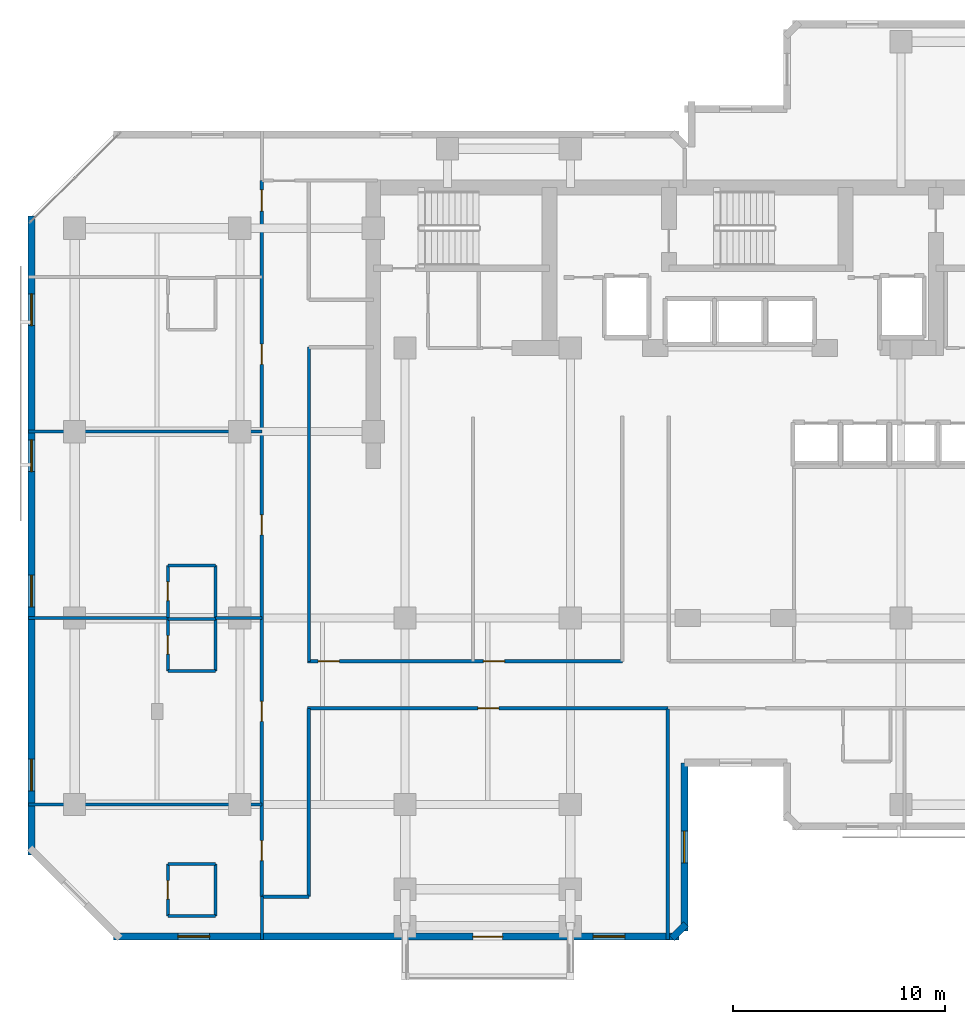
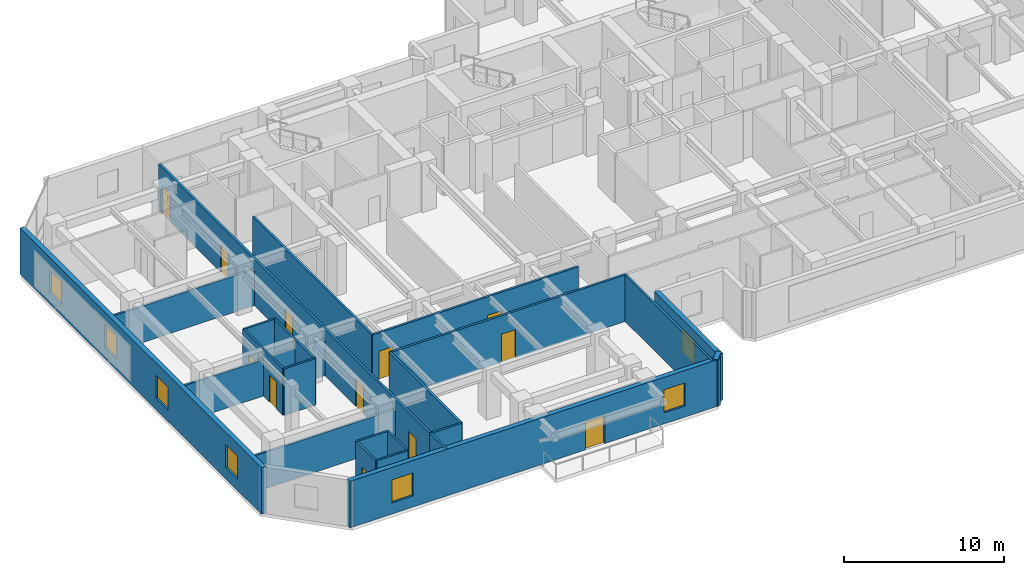
# One storey, part 5 of 11: 27 walls, 12 doors, 7 windows, 19 openings.
"""IFC4 building model written with IfcOpenShell, lengths in metres."""

from ifc_helpers import new_model, si_unit, direction, frame, frame_2d, origin, place, context, subcontext, project, spatial, rectangle, extrude, material, layer, layer_set, type_object, element, fill, save


model = new_model("IFC4")

# Units and contexts
model_context = context("Model", 3, precision=1e-05, world=origin(), true_north=direction((0.0, 1.0)))
body_context = subcontext(model_context, "Body", "Model", "MODEL_VIEW")
ifc_project = project(units=[si_unit("LENGTHUNIT", "METRE"), si_unit("AREAUNIT", "SQUARE_METRE"), si_unit("VOLUMEUNIT", "CUBIC_METRE"), si_unit("PLANEANGLEUNIT", "RADIAN"), si_unit("MASSUNIT", "GRAM", prefix="KILO")], contexts=[model_context])

# Site, building, storey
site_placement = place(None, origin())
site = spatial("IfcSite", under=ifc_project, at=site_placement, CompositionType="ELEMENT")
building_placement = place(site_placement, origin())
building = spatial("IfcBuilding", under=site, at=building_placement, Name="Kestravale Grand Hotel", CompositionType="ELEMENT")
storey_placement = place(building_placement, frame((0.0, 0.0, 165.0)))
storey = spatial("IfcBuildingStorey", under=building, at=storey_placement, Name="L41", CompositionType="ELEMENT", Elevation=165.0)

# Wall, openings, door, windows
ifc_material_1 = material(Name="Precast concrete f'c 45 MPa", Category="concrete")
ifc_layer_1 = layer(ifc_material_1, 0.340087890625)
ifc_layer_set_1 = layer_set([ifc_layer_1], Name="EW-PREC-340")
wall_type_1 = type_object("IfcWallType", Name="EW-PREC-340", PredefinedType="SOLIDWALL", material=ifc_layer_set_1)
wall_1_placement = place(storey_placement, frame((9.6298828125, 4.969970703125, 0.0), z_axis=(0.0, 0.0, 1.0), x_axis=(1.0, 0.0, 0.0)))
wall_1 = element("IfcWall", 1, at=wall_1_placement, inside=storey, type_object=wall_type_1, Name="L41 fluted precast facade wall 1", PredefinedType="SOLIDWALL", context=body_context, shape_type="SweptSolid", body=[
    extrude(rectangle(XDim=26.690185546875, YDim=0.340087890625, at=frame_2d((13.34521484375, 0.0))), origin(), (0.0, 0.0, 1.0), 3.550048828125),
])
opening_1_placement = place(wall_1_placement, frame((16.969970703125, 0.0, 0.0)))
opening_1 = element("IfcOpeningElement", 2, at=opening_1_placement, cuts=wall_1, Name="Opening D-TERR-1400", PredefinedType="OPENING", context=body_context, shape_type="SweptSolid", body=[
    extrude(rectangle(XDim=1.39990234375, YDim=2.14990234375, at=frame_2d((0.699951171875, 1.074951171875))), frame((0.0, 0.179931640625, 0.0), z_axis=(0.0, -1.0, 0.0), x_axis=(1.0, 0.0, 0.0)), (0.0, 0.0, 1.0), 0.360107421875),
])
opening_2_placement = place(wall_1_placement, frame((3.04833984375, 0.0, 0.85009765625)))
opening_2 = element("IfcOpeningElement", 3, at=opening_2_placement, cuts=wall_1, Name="Opening W-GUEST-1500", PredefinedType="OPENING", context=body_context, shape_type="SweptSolid", body=[
    extrude(rectangle(XDim=1.5, YDim=1.75, at=frame_2d((0.75, 0.875))), frame((0.0, 0.179931640625, 0.0), z_axis=(0.0, -1.0, 0.0), x_axis=(1.0, 0.0, 0.0)), (0.0, 0.0, 1.0), 0.360107421875),
])
opening_3_placement = place(wall_1_placement, frame((22.6416015625, 0.0, 0.85009765625)))
opening_3 = element("IfcOpeningElement", 4, at=opening_3_placement, cuts=wall_1, Name="Opening W-GUEST-1500", PredefinedType="OPENING", context=body_context, shape_type="SweptSolid", body=[
    extrude(rectangle(XDim=1.5, YDim=1.75, at=frame_2d((0.75, 0.875))), frame((0.0, 0.179931640625, 0.0), z_axis=(0.0, -1.0, 0.0), x_axis=(1.0, 0.0, 0.0)), (0.0, 0.0, 1.0), 0.360107421875),
])
ifc_material_2 = material(Name="Insulated glazed champagne-bronze aluminium door", Category="aluminium")
door_type_1 = type_object("IfcDoorType", Name="D-TERR-1400", OperationType="NOTDEFINED", PredefinedType="DOOR", material=ifc_material_2)
door_1_placement = place(opening_1_placement, origin())
door_1 = element("IfcDoor", 5, at=door_1_placement, inside=storey, type_object=door_type_1, Name="L41 outdoor garden terrace door", OperationType="DOUBLE_DOOR_SINGLE_SWING", OverallHeight=2.14990234375, OverallWidth=1.39990234375, PredefinedType="DOOR", context=body_context, shape_type="SweptSolid", body=[
    extrude(rectangle(XDim=1.39990234375, YDim=2.14990234375, at=frame_2d((0.699951171875, 1.074951171875))), frame((0.0, 0.02490234375, 0.0), z_axis=(0.0, -1.0, 0.0), x_axis=(1.0, 0.0, 0.0)), (0.0, 0.0, 1.0), 0.050048828125),
])
fill(opening_1, door_1)
ifc_material_3 = material(Name="Insulated low-E double glazing in aluminium frame", Category="aluminium")
window_type = type_object("IfcWindowType", Name="W-GUEST-1500", PartitioningType="SINGLE_PANEL", PredefinedType="WINDOW", material=ifc_material_3)
window_1_placement = place(opening_2_placement, origin())
window_1 = element("IfcWindow", 6, at=window_1_placement, inside=storey, type_object=window_type, Name="L41 exterior window 1.1", OverallHeight=1.75, OverallWidth=1.5, PartitioningType="SINGLE_PANEL", PredefinedType="WINDOW", context=body_context, shape_type="SweptSolid", body=[
    extrude(rectangle(XDim=1.5, YDim=1.75, at=frame_2d((0.75, 0.875))), frame((0.0, 0.030029296875, 0.0), z_axis=(0.0, -1.0, 0.0), x_axis=(1.0, 0.0, 0.0)), (0.0, 0.0, 1.0), 0.06005859375),
])
fill(opening_2, window_1)
window_2_placement = place(opening_3_placement, origin())
window_2 = element("IfcWindow", 7, at=window_2_placement, inside=storey, type_object=window_type, Name="L41 exterior window 1.2", OverallHeight=1.75, OverallWidth=1.5, PartitioningType="SINGLE_PANEL", PredefinedType="WINDOW", context=body_context, shape_type="SweptSolid", body=[
    extrude(rectangle(XDim=1.5, YDim=1.75, at=frame_2d((0.75, 0.875))), frame((0.0, 0.030029296875, 0.0), z_axis=(0.0, -1.0, 0.0), x_axis=(1.0, 0.0, 0.0)), (0.0, 0.0, 1.0), 0.06005859375),
])
fill(opening_3, window_2)

# Wall
wall_2_placement = place(storey_placement, frame((36.00146484375, 4.891845703125, 0.0), z_axis=(0.0, 0.0, 1.0), x_axis=(0.707106781187, 0.707106781187, 0.0)))
element("IfcWall", 8, at=wall_2_placement, inside=storey, type_object=wall_type_1, Name="L41 fluted precast facade wall 2", PredefinedType="SOLIDWALL", context=body_context, shape_type="SweptSolid", body=[
    extrude(rectangle(XDim=0.9287109375, YDim=0.340087890625, at=frame_2d((0.46435546875, 0.0))), origin(), (0.0, 0.0, 1.0), 3.550048828125),
])

# Wall, opening, window
wall_3_placement = place(storey_placement, frame((36.580078125, 5.22998046875, 0.0), z_axis=(0.0, 0.0, 1.0), x_axis=(0.0, 1.0, 0.0)))
wall_3 = element("IfcWall", 9, at=wall_3_placement, inside=storey, type_object=wall_type_1, Name="L41 fluted precast facade wall 3", PredefinedType="SOLIDWALL", context=body_context, shape_type="SweptSolid", body=[
    extrude(rectangle(XDim=7.93994140625, YDim=0.340087890625, at=frame_2d((3.969970703125, 0.0))), origin(), (0.0, 0.0, 1.0), 3.550048828125),
])
opening_4_placement = place(wall_3_placement, frame((3.219970703125, 0.0, 0.85009765625)))
opening_4 = element("IfcOpeningElement", 10, at=opening_4_placement, cuts=wall_3, Name="Opening W-GUEST-1500", PredefinedType="OPENING", context=body_context, shape_type="SweptSolid", body=[
    extrude(rectangle(XDim=1.5, YDim=1.75, at=frame_2d((0.75, 0.875))), frame((0.0, 0.179931640625, 0.0), z_axis=(0.0, -1.0, 0.0), x_axis=(1.0, 0.0, 0.0)), (0.0, 0.0, 1.0), 0.360107421875),
])
window_3_placement = place(opening_4_placement, origin())
window_3 = element("IfcWindow", 11, at=window_3_placement, inside=storey, type_object=window_type, Name="L41 exterior window 3.1", OverallHeight=1.75, OverallWidth=1.5, PartitioningType="SINGLE_PANEL", PredefinedType="WINDOW", context=body_context, shape_type="SweptSolid", body=[
    extrude(rectangle(XDim=1.5, YDim=1.75, at=frame_2d((0.75, 0.875))), frame((0.0, 0.030029296875, 0.0), z_axis=(0.0, -1.0, 0.0), x_axis=(1.0, 0.0, 0.0)), (0.0, 0.0, 1.0), 0.06005859375),
])
fill(opening_4, window_3)

# Wall, openings, windows
wall_4_placement = place(storey_placement, frame((5.77001953125, 38.969970703125, 0.0), z_axis=(0.0, 0.0, 1.0), x_axis=(0.0, -1.0, 0.0)))
wall_4 = element("IfcWall", 12, at=wall_4_placement, inside=storey, type_object=wall_type_1, Name="L41 fluted precast facade wall 19", PredefinedType="SOLIDWALL", context=body_context, shape_type="SweptSolid", body=[
    extrude(rectangle(XDim=30.139892578125, YDim=0.340087890625, at=frame_2d((15.06982421875, 0.0))), origin(), (0.0, 0.0, 1.0), 3.550048828125),
])
opening_5_placement = place(wall_4_placement, frame((3.66748046875, 0.0, 0.85009765625)))
opening_5 = element("IfcOpeningElement", 13, at=opening_5_placement, cuts=wall_4, Name="Opening W-GUEST-1500", PredefinedType="OPENING", context=body_context, shape_type="SweptSolid", body=[
    extrude(rectangle(XDim=1.5, YDim=1.75, at=frame_2d((0.75, 0.875))), frame((0.0, 0.179931640625, 0.0), z_axis=(0.0, -1.0, 0.0), x_axis=(1.0, 0.0, 0.0)), (0.0, 0.0, 1.0), 0.360107421875),
])
opening_6_placement = place(wall_4_placement, frame((10.552490234375, 0.0, 0.85009765625)))
opening_6 = element("IfcOpeningElement", 14, at=opening_6_placement, cuts=wall_4, Name="Opening W-GUEST-1500", PredefinedType="OPENING", context=body_context, shape_type="SweptSolid", body=[
    extrude(rectangle(XDim=1.5, YDim=1.75, at=frame_2d((0.75, 0.875))), frame((0.0, 0.179931640625, 0.0), z_axis=(0.0, -1.0, 0.0), x_axis=(1.0, 0.0, 0.0)), (0.0, 0.0, 1.0), 0.360107421875),
])
opening_7_placement = place(wall_4_placement, frame((16.9375, 0.0, 0.85009765625)))
opening_7 = element("IfcOpeningElement", 15, at=opening_7_placement, cuts=wall_4, Name="Opening W-GUEST-1500", PredefinedType="OPENING", context=body_context, shape_type="SweptSolid", body=[
    extrude(rectangle(XDim=1.5, YDim=1.75, at=frame_2d((0.75, 0.875))), frame((0.0, 0.179931640625, 0.0), z_axis=(0.0, -1.0, 0.0), x_axis=(1.0, 0.0, 0.0)), (0.0, 0.0, 1.0), 0.360107421875),
])
opening_8_placement = place(wall_4_placement, frame((25.62255859375, 0.0, 0.85009765625)))
opening_8 = element("IfcOpeningElement", 16, at=opening_8_placement, cuts=wall_4, Name="Opening W-GUEST-1500", PredefinedType="OPENING", context=body_context, shape_type="SweptSolid", body=[
    extrude(rectangle(XDim=1.5, YDim=1.75, at=frame_2d((0.75, 0.875))), frame((0.0, 0.179931640625, 0.0), z_axis=(0.0, -1.0, 0.0), x_axis=(1.0, 0.0, 0.0)), (0.0, 0.0, 1.0), 0.360107421875),
])
window_4_placement = place(opening_5_placement, origin())
window_4 = element("IfcWindow", 17, at=window_4_placement, inside=storey, type_object=window_type, Name="L41 exterior window 19.1", OverallHeight=1.75, OverallWidth=1.5, PartitioningType="SINGLE_PANEL", PredefinedType="WINDOW", context=body_context, shape_type="SweptSolid", body=[
    extrude(rectangle(XDim=1.5, YDim=1.75, at=frame_2d((0.75, 0.875))), frame((0.0, 0.030029296875, 0.0), z_axis=(0.0, -1.0, 0.0), x_axis=(1.0, 0.0, 0.0)), (0.0, 0.0, 1.0), 0.06005859375),
])
fill(opening_5, window_4)
window_5_placement = place(opening_6_placement, origin())
window_5 = element("IfcWindow", 18, at=window_5_placement, inside=storey, type_object=window_type, Name="L41 exterior window 19.2", OverallHeight=1.75, OverallWidth=1.5, PartitioningType="SINGLE_PANEL", PredefinedType="WINDOW", context=body_context, shape_type="SweptSolid", body=[
    extrude(rectangle(XDim=1.5, YDim=1.75, at=frame_2d((0.75, 0.875))), frame((0.0, 0.030029296875, 0.0), z_axis=(0.0, -1.0, 0.0), x_axis=(1.0, 0.0, 0.0)), (0.0, 0.0, 1.0), 0.06005859375),
])
fill(opening_6, window_5)
window_6_placement = place(opening_7_placement, origin())
window_6 = element("IfcWindow", 19, at=window_6_placement, inside=storey, type_object=window_type, Name="L41 exterior window 19.3", OverallHeight=1.75, OverallWidth=1.5, PartitioningType="SINGLE_PANEL", PredefinedType="WINDOW", context=body_context, shape_type="SweptSolid", body=[
    extrude(rectangle(XDim=1.5, YDim=1.75, at=frame_2d((0.75, 0.875))), frame((0.0, 0.030029296875, 0.0), z_axis=(0.0, -1.0, 0.0), x_axis=(1.0, 0.0, 0.0)), (0.0, 0.0, 1.0), 0.06005859375),
])
fill(opening_7, window_6)
window_7_placement = place(opening_8_placement, origin())
window_7 = element("IfcWindow", 20, at=window_7_placement, inside=storey, type_object=window_type, Name="L41 exterior window 19.4", OverallHeight=1.75, OverallWidth=1.5, PartitioningType="SINGLE_PANEL", PredefinedType="WINDOW", context=body_context, shape_type="SweptSolid", body=[
    extrude(rectangle(XDim=1.5, YDim=1.75, at=frame_2d((0.75, 0.875))), frame((0.0, 0.030029296875, 0.0), z_axis=(0.0, -1.0, 0.0), x_axis=(1.0, 0.0, 0.0)), (0.0, 0.0, 1.0), 0.06005859375),
])
fill(opening_8, window_7)

# Wall, openings, doors
ifc_material_4 = material(Name="Acoustic fire-rated gypsum board partition", Category="other")
ifc_layer_2 = layer(ifc_material_4, 0.159912109375)
ifc_layer_set_2 = layer_set([ifc_layer_2], Name="IW-CORR-160")
wall_type_2 = type_object("IfcWallType", Name="IW-CORR-160", PredefinedType="PARTITIONING", material=ifc_layer_set_2)
wall_5_placement = place(storey_placement, frame((18.800048828125, 17.9599609375, 0.0), z_axis=(0.0, 0.0, 1.0), x_axis=(1.0, 0.0, 0.0)))
wall_5 = element("IfcWall", 21, at=wall_5_placement, inside=storey, type_object=wall_type_2, Name="W-L41-CW-N", PredefinedType="PARTITIONING", context=body_context, shape_type="SweptSolid", body=[
    extrude(rectangle(XDim=14.849853515625, YDim=0.159912109375, at=frame_2d((7.4248046875, 0.0))), origin(), (0.0, 0.0, 1.0), 3.550048828125),
])
opening_9_placement = place(wall_5_placement, frame((0.5, 0.0, 0.0)))
opening_9 = element("IfcOpeningElement", 22, at=opening_9_placement, cuts=wall_5, Name="Opening D-GUEST-1000", PredefinedType="OPENING", context=body_context, shape_type="SweptSolid", body=[
    extrude(rectangle(XDim=1.0, YDim=2.14990234375, at=frame_2d((0.5, 1.074951171875))), frame((0.0, 0.08984375, 0.0), z_axis=(0.0, -1.0, 0.0), x_axis=(1.0, 0.0, 0.0)), (0.0, 0.0, 1.0), 0.179931640625),
])
opening_10_placement = place(wall_5_placement, frame((8.300048828125, 0.0, 0.0)))
opening_10 = element("IfcOpeningElement", 23, at=opening_10_placement, cuts=wall_5, Name="Opening D-GUEST-1000", PredefinedType="OPENING", context=body_context, shape_type="SweptSolid", body=[
    extrude(rectangle(XDim=1.0, YDim=2.14990234375, at=frame_2d((0.5, 1.074951171875))), frame((0.0, 0.08984375, 0.0), z_axis=(0.0, -1.0, 0.0), x_axis=(1.0, 0.0, 0.0)), (0.0, 0.0, 1.0), 0.179931640625),
])
ifc_material_5 = material(Name="Accessible walnut veneer hotel entrance fire door", Category="wood")
door_type_2 = type_object("IfcDoorType", Name="D-GUEST-1000", OperationType="NOTDEFINED", PredefinedType="DOOR", material=ifc_material_5)
door_2_placement = place(opening_9_placement, origin())
door_2 = element("IfcDoor", 24, at=door_2_placement, inside=storey, type_object=door_type_2, Name="D-L41-RECL-W1", OperationType="SINGLE_SWING_LEFT", OverallHeight=2.14990234375, OverallWidth=1.0, PredefinedType="DOOR", context=body_context, shape_type="SweptSolid", body=[
    extrude(rectangle(XDim=1.0, YDim=2.14990234375, at=frame_2d((0.5, 1.074951171875))), frame((0.0, 0.02490234375, 0.0), z_axis=(0.0, -1.0, 0.0), x_axis=(1.0, 0.0, 0.0)), (0.0, 0.0, 1.0), 0.050048828125),
])
fill(opening_9, door_2)
door_3_placement = place(opening_10_placement, origin())
door_3 = element("IfcDoor", 25, at=door_3_placement, inside=storey, type_object=door_type_2, Name="D-L41-RECL-W2", OperationType="SINGLE_SWING_RIGHT", OverallHeight=2.14990234375, OverallWidth=1.0, PredefinedType="DOOR", context=body_context, shape_type="SweptSolid", body=[
    extrude(rectangle(XDim=1.0, YDim=2.14990234375, at=frame_2d((0.5, 1.074951171875))), frame((0.0, 0.02490234375, 0.0), z_axis=(0.0, -1.0, 0.0), x_axis=(1.0, 0.0, 0.0)), (0.0, 0.0, 1.0), 0.050048828125),
])
fill(opening_10, door_3)

# Wall, opening, door
wall_6_placement = place(storey_placement, frame((18.800048828125, 15.739990234375, 0.0), z_axis=(0.0, 0.0, 1.0), x_axis=(1.0, 0.0, 0.0)))
wall_6 = element("IfcWall", 26, at=wall_6_placement, inside=storey, type_object=wall_type_2, Name="W-L41-CW-S", PredefinedType="PARTITIONING", context=body_context, shape_type="SweptSolid", body=[
    extrude(rectangle(XDim=17.0, YDim=0.159912109375, at=frame_2d((8.5, 0.0))), origin(), (0.0, 0.0, 1.0), 3.550048828125),
])
opening_11_placement = place(wall_6_placement, frame((8.030029296875, 0.0, 0.0)))
opening_11 = element("IfcOpeningElement", 27, at=opening_11_placement, cuts=wall_6, Name="Opening D-GUEST-1000", PredefinedType="OPENING", context=body_context, shape_type="SweptSolid", body=[
    extrude(rectangle(XDim=1.0, YDim=2.14990234375, at=frame_2d((0.5, 1.074951171875))), frame((0.0, 0.08984375, 0.0), z_axis=(0.0, -1.0, 0.0), x_axis=(1.0, 0.0, 0.0)), (0.0, 0.0, 1.0), 0.179931640625),
])
door_4_placement = place(opening_11_placement, origin())
door_4 = element("IfcDoor", 28, at=door_4_placement, inside=storey, type_object=door_type_2, Name="D-L41-AMW", OperationType="SINGLE_SWING_LEFT", OverallHeight=2.14990234375, OverallWidth=1.0, PredefinedType="DOOR", context=body_context, shape_type="SweptSolid", body=[
    extrude(rectangle(XDim=1.0, YDim=2.14990234375, at=frame_2d((0.5, 1.074951171875))), frame((0.0, 0.02490234375, 0.0), z_axis=(0.0, -1.0, 0.0), x_axis=(1.0, 0.0, 0.0)), (0.0, 0.0, 1.0), 0.050048828125),
])
fill(opening_11, door_4)

# Wall, openings, doors
wall_7_placement = place(storey_placement, frame((16.639892578125, 6.85009765625, 0.0), z_axis=(0.0, 0.0, 1.0), x_axis=(0.0, 1.0, 0.0)))
wall_7 = element("IfcWall", 29, at=wall_7_placement, inside=storey, type_object=wall_type_2, Name="W-L41-SW-W", PredefinedType="PARTITIONING", context=body_context, shape_type="SweptSolid", body=[
    extrude(rectangle(XDim=33.7998046875, YDim=0.159912109375, at=frame_2d((16.89990234375, 0.0))), origin(), (0.0, 0.0, 1.0), 3.550048828125),
])
opening_12_placement = place(wall_7_placement, frame((1.699951171875, 0.0, 0.0)))
opening_12 = element("IfcOpeningElement", 30, at=opening_12_placement, cuts=wall_7, Name="Opening D-GUEST-950", PredefinedType="OPENING", context=body_context, shape_type="SweptSolid", body=[
    extrude(rectangle(XDim=0.949951171875, YDim=2.10009765625, at=frame_2d((0.47509765625, 1.050048828125))), frame((0.0, 0.08984375, 0.0), z_axis=(0.0, -1.0, 0.0), x_axis=(1.0, 0.0, 0.0)), (0.0, 0.0, 1.0), 0.179931640625),
])
opening_13_placement = place(wall_7_placement, frame((8.27490234375, 0.0, 0.0)))
opening_13 = element("IfcOpeningElement", 31, at=opening_13_placement, cuts=wall_7, Name="Opening D-GUEST-950", PredefinedType="OPENING", context=body_context, shape_type="SweptSolid", body=[
    extrude(rectangle(XDim=0.949951171875, YDim=2.10009765625, at=frame_2d((0.47509765625, 1.050048828125))), frame((0.0, 0.08984375, 0.0), z_axis=(0.0, -1.0, 0.0), x_axis=(1.0, 0.0, 0.0)), (0.0, 0.0, 1.0), 0.179931640625),
])
opening_14_placement = place(wall_7_placement, frame((17.074951171875, 0.0, 0.0)))
opening_14 = element("IfcOpeningElement", 32, at=opening_14_placement, cuts=wall_7, Name="Opening D-GUEST-950", PredefinedType="OPENING", context=body_context, shape_type="SweptSolid", body=[
    extrude(rectangle(XDim=0.949951171875, YDim=2.10009765625, at=frame_2d((0.47509765625, 1.050048828125))), frame((0.0, 0.08984375, 0.0), z_axis=(0.0, -1.0, 0.0), x_axis=(1.0, 0.0, 0.0)), (0.0, 0.0, 1.0), 0.179931640625),
])
opening_15_placement = place(wall_7_placement, frame((25.125, 0.0, 0.0)))
opening_15 = element("IfcOpeningElement", 33, at=opening_15_placement, cuts=wall_7, Name="Opening D-GUEST-950", PredefinedType="OPENING", context=body_context, shape_type="SweptSolid", body=[
    extrude(rectangle(XDim=0.949951171875, YDim=2.10009765625, at=frame_2d((0.47509765625, 1.050048828125))), frame((0.0, 0.08984375, 0.0), z_axis=(0.0, -1.0, 0.0), x_axis=(1.0, 0.0, 0.0)), (0.0, 0.0, 1.0), 0.179931640625),
])
opening_16_placement = place(wall_7_placement, frame((32.360107421875, 0.0, 0.0)))
opening_16 = element("IfcOpeningElement", 34, at=opening_16_placement, cuts=wall_7, Name="Opening D-GUEST-1000", PredefinedType="OPENING", context=body_context, shape_type="SweptSolid", body=[
    extrude(rectangle(XDim=1.0, YDim=2.14990234375, at=frame_2d((0.5, 1.074951171875))), frame((0.0, 0.08984375, 0.0), z_axis=(0.0, -1.0, 0.0), x_axis=(1.0, 0.0, 0.0)), (0.0, 0.0, 1.0), 0.179931640625),
])
door_5_placement = place(opening_16_placement, origin())
door_5 = element("IfcDoor", 35, at=door_5_placement, inside=storey, type_object=door_type_2, Name="D-L41-AMWW", OperationType="SINGLE_SWING_LEFT", OverallHeight=2.14990234375, OverallWidth=1.0, PredefinedType="DOOR", context=body_context, shape_type="SweptSolid", body=[
    extrude(rectangle(XDim=1.0, YDim=2.14990234375, at=frame_2d((0.5, 1.074951171875))), frame((0.0, 0.02490234375, 0.0), z_axis=(0.0, -1.0, 0.0), x_axis=(1.0, 0.0, 0.0)), (0.0, 0.0, 1.0), 0.050048828125),
])
fill(opening_16, door_5)
ifc_material_6 = material(Name="Walnut veneer hotel guestroom entrance fire door", Category="wood")
door_type_3 = type_object("IfcDoorType", Name="D-GUEST-950", OperationType="NOTDEFINED", PredefinedType="DOOR", material=ifc_material_6)
door_6_placement = place(opening_12_placement, origin())
door_6 = element("IfcDoor", 36, at=door_6_placement, inside=storey, type_object=door_type_3, Name="D-L41-U02-ENT", OperationType="SINGLE_SWING_RIGHT", OverallHeight=2.10009765625, OverallWidth=0.949951171875, PredefinedType="DOOR", context=body_context, shape_type="SweptSolid", body=[
    extrude(rectangle(XDim=0.949951171875, YDim=2.10009765625, at=frame_2d((0.47509765625, 1.050048828125))), frame((0.0, 0.02490234375, 0.0), z_axis=(0.0, -1.0, 0.0), x_axis=(1.0, 0.0, 0.0)), (0.0, 0.0, 1.0), 0.050048828125),
])
fill(opening_12, door_6)
door_7_placement = place(opening_13_placement, origin())
door_7 = element("IfcDoor", 37, at=door_7_placement, inside=storey, type_object=door_type_3, Name="D-L41-U03-ENT", OperationType="SINGLE_SWING_RIGHT", OverallHeight=2.10009765625, OverallWidth=0.949951171875, PredefinedType="DOOR", context=body_context, shape_type="SweptSolid", body=[
    extrude(rectangle(XDim=0.949951171875, YDim=2.10009765625, at=frame_2d((0.47509765625, 1.050048828125))), frame((0.0, 0.02490234375, 0.0), z_axis=(0.0, -1.0, 0.0), x_axis=(1.0, 0.0, 0.0)), (0.0, 0.0, 1.0), 0.050048828125),
])
fill(opening_13, door_7)
door_8_placement = place(opening_14_placement, origin())
door_8 = element("IfcDoor", 38, at=door_8_placement, inside=storey, type_object=door_type_3, Name="D-L41-U04-ENT", OperationType="SINGLE_SWING_RIGHT", OverallHeight=2.10009765625, OverallWidth=0.949951171875, PredefinedType="DOOR", context=body_context, shape_type="SweptSolid", body=[
    extrude(rectangle(XDim=0.949951171875, YDim=2.10009765625, at=frame_2d((0.47509765625, 1.050048828125))), frame((0.0, 0.02490234375, 0.0), z_axis=(0.0, -1.0, 0.0), x_axis=(1.0, 0.0, 0.0)), (0.0, 0.0, 1.0), 0.050048828125),
])
fill(opening_14, door_8)
door_9_placement = place(opening_15_placement, origin())
door_9 = element("IfcDoor", 39, at=door_9_placement, inside=storey, type_object=door_type_3, Name="D-L41-U05-ENT", OperationType="SINGLE_SWING_RIGHT", OverallHeight=2.10009765625, OverallWidth=0.949951171875, PredefinedType="DOOR", context=body_context, shape_type="SweptSolid", body=[
    extrude(rectangle(XDim=0.949951171875, YDim=2.10009765625, at=frame_2d((0.47509765625, 1.050048828125))), frame((0.0, 0.02490234375, 0.0), z_axis=(0.0, -1.0, 0.0), x_axis=(1.0, 0.0, 0.0)), (0.0, 0.0, 1.0), 0.050048828125),
])
fill(opening_15, door_9)

# Wall
wall_8_placement = place(storey_placement, frame((18.860107421875, 6.85009765625, 0.0), z_axis=(0.0, 0.0, 1.0), x_axis=(0.0, 1.0, 0.0)))
element("IfcWall", 40, at=wall_8_placement, inside=storey, type_object=wall_type_2, Name="W-L41-SW-E", PredefinedType="PARTITIONING", context=body_context, shape_type="SweptSolid", body=[
    extrude(rectangle(XDim=8.889892578125, YDim=0.159912109375, at=frame_2d((4.44482421875, 0.0))), origin(), (0.0, 0.0, 1.0), 3.550048828125),
])

# Wall, opening, door
ifc_material_7 = material(Name="Moisture-resistant tile-backer plumbing chase wall", Category="other")
ifc_layer_3 = layer(ifc_material_7, 0.139892578125)
ifc_layer_set_3 = layer_set([ifc_layer_3], Name="IW-PLB-140")
wall_type_3 = type_object("IfcWallType", Name="IW-PLB-140", PredefinedType="PLUMBINGWALL", material=ifc_layer_set_3)
wall_9_placement = place(storey_placement, frame((12.199951171875, 5.949951171875, 0.0), z_axis=(0.0, 0.0, 1.0), x_axis=(0.0, 1.0, 0.0)))
wall_9 = element("IfcWall", 41, at=wall_9_placement, inside=storey, type_object=wall_type_3, Name="W-L41-U02-BW", PredefinedType="PLUMBINGWALL", context=body_context, shape_type="SweptSolid", body=[
    extrude(rectangle(XDim=2.449951171875, YDim=0.139892578125, at=frame_2d((1.22509765625, 0.0))), origin(), (0.0, 0.0, 1.0), 3.550048828125),
])
opening_17_placement = place(wall_9_placement, frame((0.784912109375, 0.0, 0.0)))
opening_17 = element("IfcOpeningElement", 42, at=opening_17_placement, cuts=wall_9, Name="Opening D-BATH-880", PredefinedType="OPENING", context=body_context, shape_type="SweptSolid", body=[
    extrude(rectangle(XDim=0.8798828125, YDim=2.050048828125, at=frame_2d((0.43994140625, 1.02490234375))), frame((0.0, 0.079833984375, 0.0), z_axis=(0.0, -1.0, 0.0), x_axis=(1.0, 0.0, 0.0)), (0.0, 0.0, 1.0), 0.159912109375),
])
ifc_material_8 = material(Name="Moisture-sealed walnut en-suite bathroom door", Category="wood")
door_type_4 = type_object("IfcDoorType", Name="D-BATH-880", OperationType="NOTDEFINED", PredefinedType="DOOR", material=ifc_material_8)
door_10_placement = place(opening_17_placement, origin())
door_10 = element("IfcDoor", 43, at=door_10_placement, inside=storey, type_object=door_type_4, Name="D-L41-U02-BATH", OperationType="SINGLE_SWING_LEFT", OverallHeight=2.050048828125, OverallWidth=0.8798828125, PredefinedType="DOOR", context=body_context, shape_type="SweptSolid", body=[
    extrude(rectangle(XDim=0.8798828125, YDim=2.050048828125, at=frame_2d((0.43994140625, 1.02490234375))), frame((0.0, 0.02490234375, 0.0), z_axis=(0.0, -1.0, 0.0), x_axis=(1.0, 0.0, 0.0)), (0.0, 0.0, 1.0), 0.050048828125),
])
fill(opening_17, door_10)

# Walls
wall_10_placement = place(storey_placement, frame((14.449951171875, 5.949951171875, 0.0), z_axis=(0.0, 0.0, 1.0), x_axis=(0.0, 1.0, 0.0)))
element("IfcWall", 44, at=wall_10_placement, inside=storey, type_object=wall_type_3, Name="W-L41-U02-BE", PredefinedType="PLUMBINGWALL", context=body_context, shape_type="SweptSolid", body=[
    extrude(rectangle(XDim=2.449951171875, YDim=0.139892578125, at=frame_2d((1.22509765625, 0.0))), origin(), (0.0, 0.0, 1.0), 3.550048828125),
])
for number, where, z_axis, x_axis, name in (
    (45, (12.199951171875, 5.949951171875, 0.0), (0.0, 0.0, 1.0), (1.0, 0.0, 0.0), "W-L41-U02-BS"),
    (46, (12.199951171875, 8.39990234375, 0.0), (0.0, 0.0, 1.0), (1.0, 0.0, 0.0), "W-L41-U02-BN"),
):
    element("IfcWall", number, at=place(storey_placement, frame(where, z_axis=z_axis, x_axis=x_axis)), inside=storey, type_object=wall_type_3, Name=name, PredefinedType="PLUMBINGWALL", context=body_context, shape_type="SweptSolid", body=[
        extrude(rectangle(XDim=2.25, YDim=0.139892578125, at=frame_2d((1.125, 0.0))), origin(), (0.0, 0.0, 1.0), 3.550048828125),
    ])

# Wall, opening, door
wall_11_placement = place(storey_placement, frame((12.199951171875, 17.510009765625, 0.0), z_axis=(0.0, 0.0, 1.0), x_axis=(0.0, 1.0, 0.0)))
wall_11 = element("IfcWall", 47, at=wall_11_placement, inside=storey, type_object=wall_type_3, Name="W-L41-U03-BW", PredefinedType="PLUMBINGWALL", context=body_context, shape_type="SweptSolid", body=[
    extrude(rectangle(XDim=2.449951171875, YDim=0.139892578125, at=frame_2d((1.22509765625, 0.0))), origin(), (0.0, 0.0, 1.0), 3.550048828125),
])
opening_18_placement = place(wall_11_placement, frame((0.784912109375, 0.0, 0.0)))
opening_18 = element("IfcOpeningElement", 48, at=opening_18_placement, cuts=wall_11, Name="Opening D-BATH-880", PredefinedType="OPENING", context=body_context, shape_type="SweptSolid", body=[
    extrude(rectangle(XDim=0.8798828125, YDim=2.050048828125, at=frame_2d((0.43994140625, 1.02490234375))), frame((0.0, 0.079833984375, 0.0), z_axis=(0.0, -1.0, 0.0), x_axis=(1.0, 0.0, 0.0)), (0.0, 0.0, 1.0), 0.159912109375),
])
door_11_placement = place(opening_18_placement, origin())
door_11 = element("IfcDoor", 49, at=door_11_placement, inside=storey, type_object=door_type_4, Name="D-L41-U03-BATH", OperationType="SINGLE_SWING_LEFT", OverallHeight=2.050048828125, OverallWidth=0.8798828125, PredefinedType="DOOR", context=body_context, shape_type="SweptSolid", body=[
    extrude(rectangle(XDim=0.8798828125, YDim=2.050048828125, at=frame_2d((0.43994140625, 1.02490234375))), frame((0.0, 0.02490234375, 0.0), z_axis=(0.0, -1.0, 0.0), x_axis=(1.0, 0.0, 0.0)), (0.0, 0.0, 1.0), 0.050048828125),
])
fill(opening_18, door_11)

# Walls
wall_12_placement = place(storey_placement, frame((14.449951171875, 17.510009765625, 0.0), z_axis=(0.0, 0.0, 1.0), x_axis=(0.0, 1.0, 0.0)))
element("IfcWall", 50, at=wall_12_placement, inside=storey, type_object=wall_type_3, Name="W-L41-U03-BE", PredefinedType="PLUMBINGWALL", context=body_context, shape_type="SweptSolid", body=[
    extrude(rectangle(XDim=2.449951171875, YDim=0.139892578125, at=frame_2d((1.22509765625, 0.0))), origin(), (0.0, 0.0, 1.0), 3.550048828125),
])
wall_13_placement = place(storey_placement, frame((12.199951171875, 17.510009765625, 0.0), z_axis=(0.0, 0.0, 1.0), x_axis=(1.0, 0.0, 0.0)))
element("IfcWall", 51, at=wall_13_placement, inside=storey, type_object=wall_type_3, Name="W-L41-U03-BS", PredefinedType="PLUMBINGWALL", context=body_context, shape_type="SweptSolid", body=[
    extrude(rectangle(XDim=2.25, YDim=0.139892578125, at=frame_2d((1.125, 0.0))), origin(), (0.0, 0.0, 1.0), 3.550048828125),
])
wall_14_placement = place(storey_placement, frame((12.199951171875, 19.9599609375, 0.0), z_axis=(0.0, 0.0, 1.0), x_axis=(1.0, 0.0, 0.0)))
element("IfcWall", 52, at=wall_14_placement, inside=storey, type_object=wall_type_3, Name="W-L41-U03-BN", PredefinedType="PLUMBINGWALL", context=body_context, shape_type="SweptSolid", body=[
    extrude(rectangle(XDim=2.25, YDim=0.139892578125, at=frame_2d((1.125, 0.0))), origin(), (0.0, 0.0, 1.0), 2.89990234375),
])

# Wall, opening, door
wall_15_placement = place(storey_placement, frame((12.199951171875, 20.0400390625, 0.0), z_axis=(0.0, 0.0, 1.0), x_axis=(0.0, 1.0, 0.0)))
wall_15 = element("IfcWall", 53, at=wall_15_placement, inside=storey, type_object=wall_type_3, Name="W-L41-U04-BW", PredefinedType="PLUMBINGWALL", context=body_context, shape_type="SweptSolid", body=[
    extrude(rectangle(XDim=2.449951171875, YDim=0.139892578125, at=frame_2d((1.22509765625, 0.0))), origin(), (0.0, 0.0, 1.0), 3.550048828125),
])
opening_19_placement = place(wall_15_placement, frame((0.784912109375, 0.0, 0.0)))
opening_19 = element("IfcOpeningElement", 54, at=opening_19_placement, cuts=wall_15, Name="Opening D-BATH-880", PredefinedType="OPENING", context=body_context, shape_type="SweptSolid", body=[
    extrude(rectangle(XDim=0.8798828125, YDim=2.050048828125, at=frame_2d((0.43994140625, 1.02490234375))), frame((0.0, 0.079833984375, 0.0), z_axis=(0.0, -1.0, 0.0), x_axis=(1.0, 0.0, 0.0)), (0.0, 0.0, 1.0), 0.159912109375),
])
door_12_placement = place(opening_19_placement, origin())
door_12 = element("IfcDoor", 55, at=door_12_placement, inside=storey, type_object=door_type_4, Name="D-L41-U04-BATH", OperationType="SINGLE_SWING_LEFT", OverallHeight=2.050048828125, OverallWidth=0.8798828125, PredefinedType="DOOR", context=body_context, shape_type="SweptSolid", body=[
    extrude(rectangle(XDim=0.8798828125, YDim=2.050048828125, at=frame_2d((0.43994140625, 1.02490234375))), frame((0.0, 0.02490234375, 0.0), z_axis=(0.0, -1.0, 0.0), x_axis=(1.0, 0.0, 0.0)), (0.0, 0.0, 1.0), 0.050048828125),
])
fill(opening_19, door_12)

# Walls
wall_16_placement = place(storey_placement, frame((14.449951171875, 20.0400390625, 0.0), z_axis=(0.0, 0.0, 1.0), x_axis=(0.0, 1.0, 0.0)))
element("IfcWall", 56, at=wall_16_placement, inside=storey, type_object=wall_type_3, Name="W-L41-U04-BE", PredefinedType="PLUMBINGWALL", context=body_context, shape_type="SweptSolid", body=[
    extrude(rectangle(XDim=2.449951171875, YDim=0.139892578125, at=frame_2d((1.22509765625, 0.0))), origin(), (0.0, 0.0, 1.0), 3.550048828125),
])
wall_17_placement = place(storey_placement, frame((12.199951171875, 22.489990234375, 0.0), z_axis=(0.0, 0.0, 1.0), x_axis=(1.0, 0.0, 0.0)))
element("IfcWall", 57, at=wall_17_placement, inside=storey, type_object=wall_type_3, Name="W-L41-U04-BN", PredefinedType="PLUMBINGWALL", context=body_context, shape_type="SweptSolid", body=[
    extrude(rectangle(XDim=2.25, YDim=0.139892578125, at=frame_2d((1.125, 0.0))), origin(), (0.0, 0.0, 1.0), 3.550048828125),
])
ifc_material_9 = material(Name="Double-stud STC 52 acoustic demising partition", Category="other")
ifc_layer_4 = layer(ifc_material_9, 0.14990234375)
ifc_layer_set_4 = layer_set([ifc_layer_4], Name="IW-UNIT-150")
wall_type_4 = type_object("IfcWallType", Name="IW-UNIT-150", PredefinedType="PARTITIONING", material=ifc_layer_set_4)
wall_18_placement = place(storey_placement, frame((16.639892578125, 6.85009765625, 0.0), z_axis=(0.0, 0.0, 1.0), x_axis=(1.0, 0.0, 0.0)))
element("IfcWall", 58, at=wall_18_placement, inside=storey, type_object=wall_type_4, Name="W-L41-SW-S", PredefinedType="PARTITIONING", context=body_context, shape_type="SweptSolid", body=[
    extrude(rectangle(XDim=2.22021484375, YDim=0.14990234375, at=frame_2d((1.110107421875, 0.0))), origin(), (0.0, 0.0, 1.0), 3.550048828125),
])
wall_19_placement = place(storey_placement, frame((18.860107421875, 17.9599609375, 0.0), z_axis=(0.0, 0.0, 1.0), x_axis=(0.0, 1.0, 0.0)))
element("IfcWall", 59, at=wall_19_placement, inside=storey, type_object=wall_type_4, Name="W-L41-RCLW-W", PredefinedType="PARTITIONING", context=body_context, shape_type="SweptSolid", body=[
    extrude(rectangle(XDim=14.840087890625, YDim=0.14990234375, at=frame_2d((7.419921875, 0.0))), origin(), (0.0, 0.0, 1.0), 3.550048828125),
])
wall_20_placement = place(storey_placement, frame((35.800048828125, 4.820068359375, 0.0), z_axis=(0.0, 0.0, 1.0), x_axis=(0.0, 1.0, 0.0)))
element("IfcWall", 60, at=wall_20_placement, inside=storey, type_object=wall_type_4, Name="W-L41-MID-S", PredefinedType="PARTITIONING", context=body_context, shape_type="SweptSolid", body=[
    extrude(rectangle(XDim=10.89990234375, YDim=0.14990234375, at=frame_2d((5.449951171875, 0.0))), origin(), (0.0, 0.0, 1.0), 3.550048828125),
])
wall_21_placement = place(storey_placement, frame((16.639892578125, 4.820068359375, 0.0), z_axis=(0.0, 0.0, 1.0), x_axis=(0.0, 1.0, 0.0)))
element("IfcWall", 61, at=wall_21_placement, inside=storey, type_object=wall_type_4, Name="W-L41-SW-EXT", PredefinedType="PARTITIONING", context=body_context, shape_type="SweptSolid", body=[
    extrude(rectangle(XDim=2.030029296875, YDim=0.14990234375, at=frame_2d((1.01513671875, 0.0))), origin(), (0.0, 0.0, 1.0), 3.550048828125),
])
wall_22_placement = place(storey_placement, frame((5.6201171875, 11.199951171875, 0.0), z_axis=(0.0, 0.0, 1.0), x_axis=(1.0, 0.0, 0.0)))
element("IfcWall", 62, at=wall_22_placement, inside=storey, type_object=wall_type_4, Name="W-L41-WW-1", PredefinedType="PARTITIONING", context=body_context, shape_type="SweptSolid", body=[
    extrude(rectangle(XDim=11.019775390625, YDim=0.14990234375, at=frame_2d((5.509765625, 0.0))), origin(), (0.0, 0.0, 1.0), 2.778076171875),
])
wall_23_placement = place(storey_placement, frame((5.6201171875, 20.0, 0.0), z_axis=(0.0, 0.0, 1.0), x_axis=(1.0, 0.0, 0.0)))
element("IfcWall", 63, at=wall_23_placement, inside=storey, type_object=wall_type_4, Name="W-L41-WW-2", PredefinedType="PARTITIONING", context=body_context, shape_type="SweptSolid", body=[
    extrude(rectangle(XDim=6.579833984375, YDim=0.14990234375, at=frame_2d((3.2900390625, 0.0))), origin(), (0.0, 0.0, 1.0), 2.778076171875),
])
wall_24_placement = place(storey_placement, frame((14.449951171875, 20.0, 0.0), z_axis=(0.0, 0.0, 1.0), x_axis=(1.0, 0.0, 0.0)))
element("IfcWall", 64, at=wall_24_placement, inside=storey, type_object=wall_type_4, Name="W-L41-WW-2", PredefinedType="PARTITIONING", context=body_context, shape_type="SweptSolid", body=[
    extrude(rectangle(XDim=2.18994140625, YDim=0.14990234375, at=frame_2d((1.094970703125, 0.0))), origin(), (0.0, 0.0, 1.0), 2.778076171875),
])
wall_25_placement = place(storey_placement, frame((5.6201171875, 28.800048828125, 0.0), z_axis=(0.0, 0.0, 1.0), x_axis=(1.0, 0.0, 0.0)))
element("IfcWall", 65, at=wall_25_placement, inside=storey, type_object=wall_type_4, Name="W-L41-WW-3", PredefinedType="PARTITIONING", context=body_context, shape_type="SweptSolid", body=[
    extrude(rectangle(XDim=11.019775390625, YDim=0.14990234375, at=frame_2d((5.509765625, 0.0))), origin(), (0.0, 0.0, 1.0), 2.778076171875),
])

save(model, "model.ifc")
